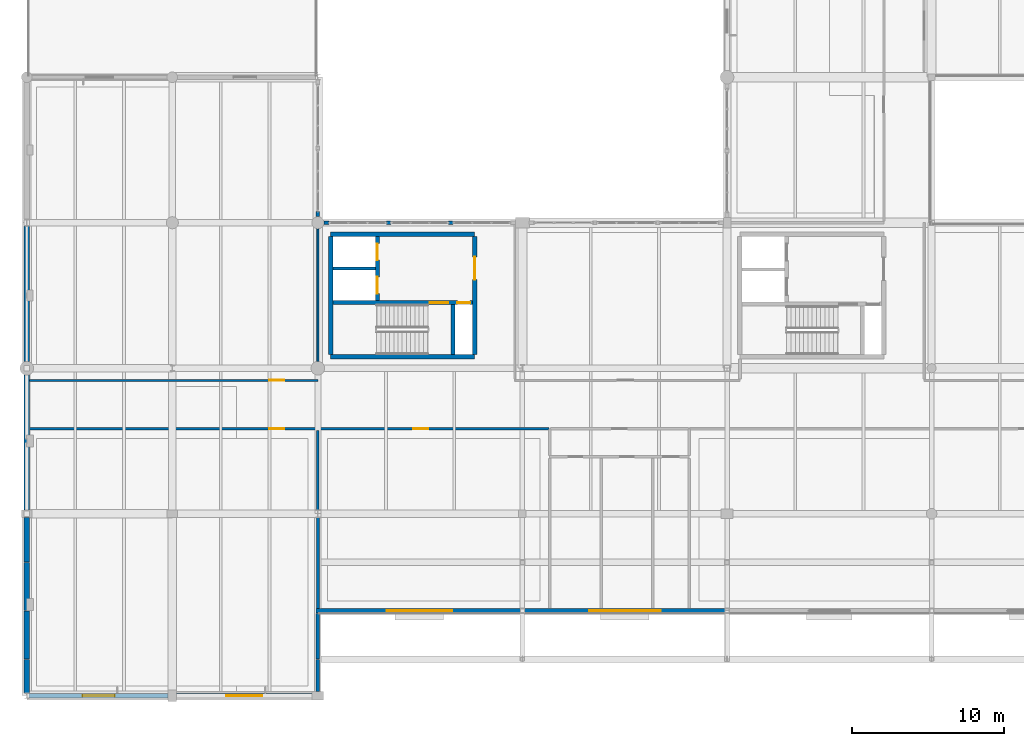
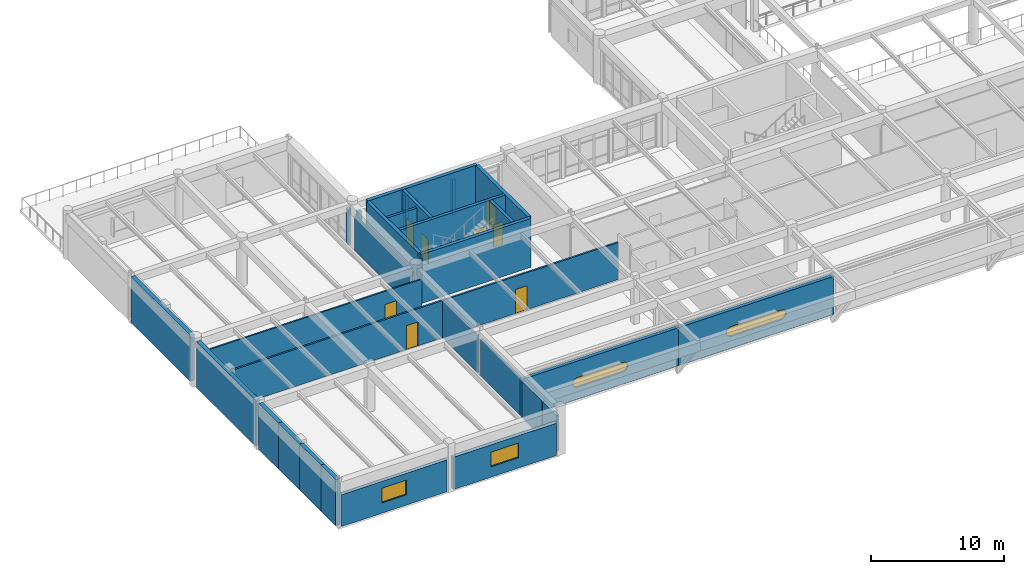
# One storey, part 64 of 80: 29 walls, 8 doors, 4 windows, 12 openings.
"""IFC4 building model written with IfcOpenShell, lengths in metres."""

from ifc_helpers import new_model, si_unit, direction, frame, frame_2d, origin, place, context, subcontext, project, spatial, polyline, rectangle, outline, extrude, material, layer, layer_set, type_object, element, fill, save


model = new_model("IFC4")

# Units and contexts
model_context = context("Model", 3, precision=1e-05, world=origin(), true_north=direction((0.0, 1.0)))
body_context = subcontext(model_context, "Body", "Model", "MODEL_VIEW")
ifc_project = project(units=[si_unit("LENGTHUNIT", "METRE"), si_unit("AREAUNIT", "SQUARE_METRE"), si_unit("VOLUMEUNIT", "CUBIC_METRE"), si_unit("PLANEANGLEUNIT", "RADIAN"), si_unit("MASSUNIT", "GRAM", prefix="KILO")], contexts=[model_context])

# Site, building, storey
site_placement = place(None, origin())
site = spatial("IfcSite", under=ifc_project, at=site_placement, CompositionType="ELEMENT")
building_placement = place(site_placement, origin())
building = spatial("IfcBuilding", under=site, at=building_placement, Name="Fikremerkos Civic Library", CompositionType="ELEMENT")
storey_placement = place(building_placement, frame((0.0, 0.0, 9.89990234375)))
storey = spatial("IfcBuildingStorey", under=building, at=storey_placement, Name="L02", CompositionType="ELEMENT", Elevation=9.89990234375)

# Walls
ifc_material_1 = material(Name="Concrete C40/50", Category="concrete")
ifc_layer_1 = layer(ifc_material_1, 0.300048828125, Name="Concrete C40/50")
ifc_layer_set_1 = layer_set([ifc_layer_1], Name="Concrete C40/50")
wall_type_1 = type_object("IfcWallType", Name="Core shear wall CSW-01 300", PredefinedType="SHEAR", material=ifc_layer_set_1)
for number, where, z_axis, x_axis, name in (
    (1, (29.550048828125, 22.35009765625, 0.0), (0.0, 0.0, 1.0), (-1.0, 0.0, 0.0), "Core K1 south shear wall L02"),
    (2, (20.050048828125, 30.449951171875, 0.0), (0.0, 0.0, 1.0), (1.0, 0.0, 0.0), "Core K1 north shear wall L02"),
):
    element("IfcWall", number, at=place(storey_placement, frame(where, z_axis=z_axis, x_axis=x_axis)), inside=storey, type_object=wall_type_1, Name=name, PredefinedType="SHEAR", context=body_context, shape_type="SweptSolid", body=[
        extrude(rectangle(XDim=9.5, YDim=0.300048828125, at=frame_2d((4.75, 0.0))), origin(), (0.0, 0.0, 1.0), 4.5),
    ])
wall_1_placement = place(storey_placement, frame((20.050048828125, 22.501953125, 0.0), z_axis=(0.0, 0.0, 1.0), x_axis=(0.0, 1.0, 0.0)))
element("IfcWall", 3, at=wall_1_placement, inside=storey, type_object=wall_type_1, Name="Core K1 west shear wall L02", PredefinedType="SHEAR", context=body_context, shape_type="SweptSolid", body=[
    extrude(rectangle(XDim=7.796142578125, YDim=0.300048828125, at=frame_2d((3.89794921875, 0.0))), origin(), (0.0, 0.0, 1.0), 4.5),
])

# Wall, opening, door
wall_2_placement = place(storey_placement, frame((29.550048828125, 30.298095703125, 0.0), z_axis=(0.0, 0.0, 1.0), x_axis=(0.0, -1.0, 0.0)))
wall_2 = element("IfcWall", 4, at=wall_2_placement, inside=storey, type_object=wall_type_1, Name="Core K1 east shear wall L02", PredefinedType="SHEAR", context=body_context, shape_type="SweptSolid", body=[
    extrude(rectangle(XDim=7.796142578125, YDim=0.300048828125, at=frame_2d((3.89794921875, 0.0))), origin(), (0.0, 0.0, 1.0), 4.5),
])
opening_1_placement = place(wall_2_placement, frame((1.347900390625, 0.0, 0.0)))
opening_1 = element("IfcOpeningElement", 5, at=opening_1_placement, cuts=wall_2, Name="Opening D041", PredefinedType="OPENING", context=body_context, shape_type="SweptSolid", body=[
    extrude(rectangle(XDim=1.5, YDim=2.25, at=frame_2d((0.75, 1.125))), frame((0.0, 0.159912109375, 0.0), z_axis=(0.0, -1.0, 0.0), x_axis=(1.0, 0.0, 0.0)), (0.0, 0.0, 1.0), 0.320068359375),
])
ifc_material_2 = material(Name="Hardwood timber and acoustic glass", Category="wood")
door_type_1 = type_object("IfcDoorType", Name="Pedestrian door DT-05 1500x2250", OperationType="NOTDEFINED", PredefinedType="DOOR", material=ifc_material_2)
door_1_placement = place(opening_1_placement, origin())
door_1 = element("IfcDoor", 6, at=door_1_placement, inside=storey, type_object=door_type_1, Name="Core K1 lobby fire door D041 L02", OperationType="SINGLE_SWING_RIGHT", OverallHeight=2.25, OverallWidth=1.5, PredefinedType="DOOR", context=body_context, shape_type="SweptSolid", body=[
    extrude(rectangle(XDim=1.5, YDim=2.25, at=frame_2d((0.75, 1.125))), frame((0.0, 0.032470703125, 0.0), z_axis=(0.0, -1.0, 0.0), x_axis=(1.0, 0.0, 0.0)), (0.0, 0.0, 1.0), 0.06494140625),
])
fill(opening_1, door_1)

# Wall, openings, doors
ifc_layer_2 = layer(ifc_material_1, 0.260009765625, Name="Concrete C40/50")
ifc_layer_set_2 = layer_set([ifc_layer_2], Name="Concrete C40/50")
wall_type_2 = type_object("IfcWallType", Name="Core shear wall CSW-02 260", PredefinedType="SHEAR", material=ifc_layer_set_2)
wall_3_placement = place(storey_placement, frame((20.201904296875, 25.929931640625, 0.0), z_axis=(0.0, 0.0, 1.0), x_axis=(1.0, 0.0, 0.0)))
wall_3 = element("IfcWall", 7, at=wall_3_placement, inside=storey, type_object=wall_type_2, Name="Core K1 stair compartment wall L02", PredefinedType="SHEAR", context=body_context, shape_type="SweptSolid", body=[
    extrude(rectangle(XDim=9.196044921875, YDim=0.260009765625, at=frame_2d((4.59814453125, 0.0))), origin(), (0.0, 0.0, 1.0), 4.5),
])
opening_2_placement = place(wall_3_placement, frame((6.39794921875, 0.0, 0.0)))
opening_2 = element("IfcOpeningElement", 8, at=opening_2_placement, cuts=wall_3, Name="Opening D042", PredefinedType="OPENING", context=body_context, shape_type="SweptSolid", body=[
    extrude(rectangle(XDim=1.199951171875, YDim=2.199951171875, at=frame_2d((0.60009765625, 1.10009765625))), frame((0.0, 0.139892578125, 0.0), z_axis=(0.0, -1.0, 0.0), x_axis=(1.0, 0.0, 0.0)), (0.0, 0.0, 1.0), 0.280029296875),
])
opening_3_placement = place(wall_3_placement, frame((8.202880859375, 0.0, 0.0)))
opening_3 = element("IfcOpeningElement", 9, at=opening_3_placement, cuts=wall_3, Name="Opening D043", PredefinedType="OPENING", context=body_context, shape_type="SweptSolid", body=[
    extrude(rectangle(XDim=0.85009765625, YDim=2.050048828125, at=frame_2d((0.425048828125, 1.02490234375))), frame((0.0, 0.139892578125, 0.0), z_axis=(0.0, -1.0, 0.0), x_axis=(1.0, 0.0, 0.0)), (0.0, 0.0, 1.0), 0.280029296875),
])
door_type_2 = type_object("IfcDoorType", Name="Pedestrian door DT-06 1200x2200", OperationType="NOTDEFINED", PredefinedType="DOOR", material=ifc_material_2)
door_2_placement = place(opening_2_placement, origin())
door_2 = element("IfcDoor", 10, at=door_2_placement, inside=storey, type_object=door_type_2, Name="Core K1 stair fire door D042 L02", OperationType="SINGLE_SWING_RIGHT", OverallHeight=2.199951171875, OverallWidth=1.199951171875, PredefinedType="DOOR", context=body_context, shape_type="SweptSolid", body=[
    extrude(rectangle(XDim=1.199951171875, YDim=2.199951171875, at=frame_2d((0.60009765625, 1.10009765625))), frame((0.0, 0.032470703125, 0.0), z_axis=(0.0, -1.0, 0.0), x_axis=(1.0, 0.0, 0.0)), (0.0, 0.0, 1.0), 0.06494140625),
])
fill(opening_2, door_2)
door_type_3 = type_object("IfcDoorType", Name="Pedestrian door DT-08 850x2050", OperationType="NOTDEFINED", PredefinedType="DOOR", material=ifc_material_2)
door_3_placement = place(opening_3_placement, origin())
door_3 = element("IfcDoor", 11, at=door_3_placement, inside=storey, type_object=door_type_3, Name="Core K1 riser access fire door D043 L02", OperationType="SINGLE_SWING_LEFT", OverallHeight=2.050048828125, OverallWidth=0.85009765625, PredefinedType="DOOR", context=body_context, shape_type="SweptSolid", body=[
    extrude(rectangle(XDim=0.85009765625, YDim=2.050048828125, at=frame_2d((0.425048828125, 1.02490234375))), frame((0.0, 0.032470703125, 0.0), z_axis=(0.0, -1.0, 0.0), x_axis=(1.0, 0.0, 0.0)), (0.0, 0.0, 1.0), 0.06494140625),
])
fill(opening_3, door_3)

# Wall
wall_4_placement = place(storey_placement, frame((28.1298828125, 22.501953125, 0.0), z_axis=(0.0, 0.0, 1.0), x_axis=(0.0, 1.0, 0.0)))
element("IfcWall", 12, at=wall_4_placement, inside=storey, type_object=wall_type_2, Name="Core K1 stair-riser shear wall L02", PredefinedType="SHEAR", context=body_context, shape_type="SweptSolid", body=[
    extrude(rectangle(XDim=3.296142578125, YDim=0.260009765625, at=frame_2d((1.64794921875, 0.0))), origin(), (0.0, 0.0, 1.0), 4.5),
])

# Wall, openings, doors
wall_5_placement = place(storey_placement, frame((23.1298828125, 26.06201171875, 0.0), z_axis=(0.0, 0.0, 1.0), x_axis=(0.0, 1.0, 0.0)))
wall_5 = element("IfcWall", 13, at=wall_5_placement, inside=storey, type_object=wall_type_2, Name="Core K1 lift shaft front wall L02", PredefinedType="SHEAR", context=body_context, shape_type="SweptSolid", body=[
    extrude(rectangle(XDim=4.236083984375, YDim=0.260009765625, at=frame_2d((2.1181640625, 0.0))), origin(), (0.0, 0.0, 1.0), 4.5),
])
opening_4_placement = place(wall_5_placement, frame((0.468017578125, 0.0, 0.0)))
opening_4 = element("IfcOpeningElement", 14, at=opening_4_placement, cuts=wall_5, Name="Opening LD09", PredefinedType="OPENING", context=body_context, shape_type="SweptSolid", body=[
    extrude(rectangle(XDim=1.10009765625, YDim=2.14990234375, at=frame_2d((0.550048828125, 1.074951171875))), frame((0.0, 0.139892578125, 0.0), z_axis=(0.0, -1.0, 0.0), x_axis=(1.0, 0.0, 0.0)), (0.0, 0.0, 1.0), 0.280029296875),
])
opening_5_placement = place(wall_5_placement, frame((2.66796875, 0.0, 0.0)))
opening_5 = element("IfcOpeningElement", 15, at=opening_5_placement, cuts=wall_5, Name="Opening LD10", PredefinedType="OPENING", context=body_context, shape_type="SweptSolid", body=[
    extrude(rectangle(XDim=1.10009765625, YDim=2.14990234375, at=frame_2d((0.550048828125, 1.074951171875))), frame((0.0, 0.139892578125, 0.0), z_axis=(0.0, -1.0, 0.0), x_axis=(1.0, 0.0, 0.0)), (0.0, 0.0, 1.0), 0.280029296875),
])
ifc_material_3 = material(Name="Brushed stainless steel", Category="steel")
door_type_4 = type_object("IfcDoorType", Name="Lift landing door LDT-01 1100x2150", OperationType="NOTDEFINED", PredefinedType="DOOR", material=ifc_material_3)
door_4_placement = place(opening_4_placement, origin())
door_4 = element("IfcDoor", 16, at=door_4_placement, inside=storey, type_object=door_type_4, Name="Lift LF01 sliding landing door LD09 L02", OperationType="SLIDING_TO_LEFT", OverallHeight=2.14990234375, OverallWidth=1.10009765625, PredefinedType="DOOR", context=body_context, shape_type="SweptSolid", body=[
    extrude(rectangle(XDim=1.10009765625, YDim=2.14990234375, at=frame_2d((0.550048828125, 1.074951171875))), frame((0.0, 0.032470703125, 0.0), z_axis=(0.0, -1.0, 0.0), x_axis=(1.0, 0.0, 0.0)), (0.0, 0.0, 1.0), 0.06494140625),
])
fill(opening_4, door_4)
door_5_placement = place(opening_5_placement, origin())
door_5 = element("IfcDoor", 17, at=door_5_placement, inside=storey, type_object=door_type_4, Name="Lift LF02 sliding landing door LD10 L02", OperationType="SLIDING_TO_LEFT", OverallHeight=2.14990234375, OverallWidth=1.10009765625, PredefinedType="DOOR", context=body_context, shape_type="SweptSolid", body=[
    extrude(rectangle(XDim=1.10009765625, YDim=2.14990234375, at=frame_2d((0.550048828125, 1.074951171875))), frame((0.0, 0.032470703125, 0.0), z_axis=(0.0, -1.0, 0.0), x_axis=(1.0, 0.0, 0.0)), (0.0, 0.0, 1.0), 0.06494140625),
])
fill(opening_5, door_5)

# Walls
ifc_layer_3 = layer(ifc_material_1, 0.35009765625, Name="Concrete C40/50")
ifc_layer_set_3 = layer_set([ifc_layer_3], Name="Concrete C40/50")
wall_type_3 = type_object("IfcWallType", Name="Exterior solid wall ESW-01 350", PredefinedType="SOLIDWALL", material=ifc_layer_set_3)
wall_6_placement = place(storey_placement, frame((0.0, 0.177978515625, 0.0), z_axis=(0.0, 0.0, 1.0), x_axis=(0.0, 1.0, 0.0)))
element("IfcWall", 18, at=wall_6_placement, inside=storey, type_object=wall_type_3, Name="Party boundary wall ESW-01 L02 #468", PredefinedType="SOLIDWALL", context=body_context, shape_type="SweptSolid", body=[
    extrude(rectangle(XDim=2.219970703125, YDim=0.35009765625, at=frame_2d((1.10986328125, 0.0))), origin(), (0.0, 0.0, 1.0), 4.22021484375),
])
wall_7_placement = place(storey_placement, frame((0.0, 2.402099609375, 0.0), z_axis=(0.0, 0.0, 1.0), x_axis=(0.0, 1.0, 0.0)))
element("IfcWall", 19, at=wall_7_placement, inside=storey, type_object=wall_type_3, Name="Party boundary wall ESW-01 L02 #469", PredefinedType="SOLIDWALL", context=body_context, shape_type="SweptSolid", body=[
    extrude(rectangle(XDim=3.19580078125, YDim=0.35009765625, at=frame_2d((1.597900390625, 0.0))), origin(), (0.0, 0.0, 1.0), 4.22021484375),
])
wall_8_placement = place(storey_placement, frame((0.0, 5.60205078125, 0.0), z_axis=(0.0, 0.0, 1.0), x_axis=(0.0, 1.0, 0.0)))
element("IfcWall", 20, at=wall_8_placement, inside=storey, type_object=wall_type_3, Name="Party boundary wall ESW-01 L02 #470", PredefinedType="SOLIDWALL", context=body_context, shape_type="SweptSolid", body=[
    extrude(rectangle(XDim=3.196044921875, YDim=0.35009765625, at=frame_2d((1.59814453125, 0.0))), origin(), (0.0, 0.0, 1.0), 4.22021484375),
])
wall_9_placement = place(storey_placement, frame((0.0, 8.802001953125, 0.0), z_axis=(0.0, 0.0, 1.0), x_axis=(0.0, 1.0, 0.0)))
element("IfcWall", 21, at=wall_9_placement, inside=storey, type_object=wall_type_3, Name="Party boundary wall ESW-01 L02 #471", PredefinedType="SOLIDWALL", context=body_context, shape_type="SweptSolid", body=[
    extrude(rectangle(XDim=2.949951171875, YDim=0.35009765625, at=frame_2d((1.47509765625, 0.0))), origin(), (0.0, 0.0, 1.0), 4.22021484375),
])
wall_10_placement = place(storey_placement, frame((0.0, 12.248046875, 0.0), z_axis=(0.0, 0.0, 1.0), x_axis=(0.0, 1.0, 0.0)))
element("IfcWall", 22, at=wall_10_placement, inside=storey, type_object=wall_type_3, Name="Party boundary wall ESW-01 L02 #472", PredefinedType="SOLIDWALL", context=body_context, shape_type="SweptSolid", body=[
    extrude(rectangle(XDim=8.904052734375, YDim=0.35009765625, at=frame_2d((4.4521484375, 0.0))), origin(), (0.0, 0.0, 1.0), 4.22021484375),
])
wall_11_placement = place(storey_placement, frame((0.0, 22.048095703125, 0.0), z_axis=(0.0, 0.0, 1.0), x_axis=(0.0, 1.0, 0.0)))
element("IfcWall", 23, at=wall_11_placement, inside=storey, type_object=wall_type_3, Name="Party boundary wall ESW-01 L02 #473", PredefinedType="SOLIDWALL", context=body_context, shape_type="SweptSolid", body=[
    extrude(rectangle(XDim=8.933837890625, YDim=0.35009765625, at=frame_2d((4.466796875, 0.0))), origin(), (0.0, 0.0, 1.0), 4.22021484375),
])

# Wall, opening, window
ifc_material_4 = material(Name="Precast concrete C40/50", Category="concrete")
ifc_layer_4 = layer(ifc_material_4, 0.320068359375, Name="Precast concrete C40/50")
ifc_layer_set_4 = layer_set([ifc_layer_4], Name="Precast concrete C40/50")
wall_type_4 = type_object("IfcWallType", Name="Exterior solid wall ESW-02 320", PredefinedType="SOLIDWALL", material=ifc_layer_set_4)
wall_12_placement = place(storey_placement, frame((18.826904296875, 0.0, 0.0), z_axis=(0.0, 0.0, 1.0), x_axis=(-1.0, 0.0, 0.0)))
wall_12 = element("IfcWall", 24, at=wall_12_placement, inside=storey, type_object=wall_type_4, Name="Exterior solid wall ESW-02 L02 #466", PredefinedType="SOLIDWALL", context=body_context, shape_type="SweptSolid", body=[
    extrude(rectangle(XDim=8.953857421875, YDim=0.320068359375, at=frame_2d((4.47705078125, 0.0))), origin(), (0.0, 0.0, 1.0), 2.97021484375),
])
opening_6_placement = place(wall_12_placement, frame((3.277099609375, 0.0, 0.949951171875)))
opening_6 = element("IfcOpeningElement", 25, at=opening_6_placement, cuts=wall_12, Name="Opening CWND-07", PredefinedType="OPENING", context=body_context, shape_type="SweptSolid", body=[
    extrude(rectangle(XDim=2.39990234375, YDim=1.35009765625, at=frame_2d((1.199951171875, 0.675048828125))), frame((0.0, 0.169921875, 0.0), z_axis=(0.0, -1.0, 0.0), x_axis=(1.0, 0.0, 0.0)), (0.0, 0.0, 1.0), 0.340087890625),
])
ifc_material_5 = material(Name="Solar control double glazing", Category="glass")
window_type_1 = type_object("IfcWindowType", Name="Courtyard window CWND-07 2400x1350", PartitioningType="SINGLE_PANEL", PredefinedType="WINDOW", material=ifc_material_5)
window_1_placement = place(opening_6_placement, origin())
window_1 = element("IfcWindow", 26, at=window_1_placement, inside=storey, type_object=window_type_1, Name="Courtyard window CWND-07 L02 #23", OverallHeight=1.35009765625, OverallWidth=2.39990234375, PartitioningType="SINGLE_PANEL", PredefinedType="WINDOW", context=body_context, shape_type="SweptSolid", body=[
    extrude(rectangle(XDim=2.39990234375, YDim=1.35009765625, at=frame_2d((1.199951171875, 0.675048828125))), frame((0.0, 0.032470703125, 0.0), z_axis=(0.0, -1.0, 0.0), x_axis=(1.0, 0.0, 0.0)), (0.0, 0.0, 1.0), 0.06494140625),
])
fill(opening_6, window_1)

ifc_layer_5 = layer(ifc_material_4, 0.300048828125, Name="Precast concrete C40/50")
ifc_layer_set_5 = layer_set([ifc_layer_5], Name="Precast concrete C40/50")
wall_type_5 = type_object("IfcWallType", Name="Exterior solid wall ESW-03 300", PredefinedType="SOLIDWALL", material=ifc_layer_set_5)
wall_13_placement = place(storey_placement, frame((46.197998046875, 5.60009765625, 0.0), z_axis=(0.0, 0.0, 1.0), x_axis=(-1.0, 0.0, 0.0)))
wall_13 = element("IfcWall", 27, at=wall_13_placement, inside=storey, type_object=wall_type_5, Name="Cantilever concrete band wall ESW-03 L02 #462", PredefinedType="SOLIDWALL", context=body_context, shape_type="SweptSolid", body=[
    extrude(rectangle(XDim=13.49609375, YDim=0.300048828125, at=frame_2d((6.748046875, 0.0))), origin(), (0.0, 0.0, 1.0), 3.5),
])
opening_7_placement = place(wall_13_placement, frame((4.14794921875, 0.0, 1.10009765625)))
opening_7 = element("IfcOpeningElement", 28, at=opening_7_placement, cuts=wall_13, Name="Opening SW-01", PredefinedType="OPENING", context=body_context, shape_type="SweptSolid", body=[
    extrude(outline(polyline([(0.449951171875, 0.89990234375), (0.296142578125, 0.872802734375), (0.16064453125, 0.794677734375), (0.060302734375, 0.675048828125), (0.0068359375, 0.528076171875), (0.0068359375, 0.371826171875), (0.060302734375, 0.22509765625), (0.16064453125, 0.105224609375), (0.296142578125, 0.027099609375), (0.449951171875, 0.0), (4.75, 0.0), (4.90380859375, 0.027099609375), (5.039306640625, 0.105224609375), (5.1396484375, 0.22509765625), (5.193115234375, 0.371826171875), (5.193115234375, 0.528076171875), (5.1396484375, 0.6748046875), (5.039306640625, 0.794677734375), (4.90380859375, 0.872802734375), (4.75, 0.89990234375), (0.449951171875, 0.89990234375)])), frame((0.0, 0.159912109375, 0.0), z_axis=(0.0, -1.0, 0.0), x_axis=(1.0, 0.0, 0.0)), (0.0, 0.0, 1.0), 0.320068359375),
])
window_type_2 = type_object("IfcWindowType", Name="Facade slot window SW-01 5200x900", PartitioningType="SINGLE_PANEL", PredefinedType="WINDOW", material=ifc_material_5)
window_2_placement = place(opening_7_placement, origin())
window_2 = element("IfcWindow", 29, at=window_2_placement, inside=storey, type_object=window_type_2, Name="Rounded-end facade slot window SW-01 L02 #13", OverallHeight=0.89990234375, OverallWidth=5.199951171875, PartitioningType="SINGLE_PANEL", PredefinedType="WINDOW", context=body_context, shape_type="SweptSolid", body=[
    extrude(outline(polyline([(0.449951171875, 0.89990234375), (0.296142578125, 0.872802734375), (0.16064453125, 0.794677734375), (0.060302734375, 0.675048828125), (0.0068359375, 0.528076171875), (0.0068359375, 0.371826171875), (0.060302734375, 0.22509765625), (0.16064453125, 0.105224609375), (0.296142578125, 0.027099609375), (0.449951171875, 0.0), (4.75, 0.0), (4.90380859375, 0.027099609375), (5.039306640625, 0.105224609375), (5.1396484375, 0.22509765625), (5.193115234375, 0.371826171875), (5.193115234375, 0.528076171875), (5.1396484375, 0.6748046875), (5.039306640625, 0.794677734375), (4.90380859375, 0.872802734375), (4.75, 0.89990234375), (0.449951171875, 0.89990234375)])), frame((0.0, 0.032470703125, 0.0), z_axis=(0.0, -1.0, 0.0), x_axis=(1.0, 0.0, 0.0)), (0.0, 0.0, 1.0), 0.06494140625),
])
fill(opening_7, window_2)

wall_14_placement = place(storey_placement, frame((32.697998046875, 5.60009765625, 0.0), z_axis=(0.0, 0.0, 1.0), x_axis=(-1.0, 0.0, 0.0)))
wall_14 = element("IfcWall", 30, at=wall_14_placement, inside=storey, type_object=wall_type_5, Name="Cantilever concrete band wall ESW-03 L02 #463", PredefinedType="SOLIDWALL", context=body_context, shape_type="SweptSolid", body=[
    extrude(rectangle(XDim=13.60791015625, YDim=0.300048828125, at=frame_2d((6.803955078125, 0.0))), origin(), (0.0, 0.0, 1.0), 3.5),
])
opening_8_placement = place(wall_14_placement, frame((4.404052734375, 0.0, 1.10009765625)))
opening_8 = element("IfcOpeningElement", 31, at=opening_8_placement, cuts=wall_14, Name="Opening SW-02", PredefinedType="OPENING", context=body_context, shape_type="SweptSolid", body=[
    extrude(outline(polyline([(0.449951171875, 0.89990234375), (0.296142578125, 0.872802734375), (0.16064453125, 0.794677734375), (0.060302734375, 0.675048828125), (0.0068359375, 0.528076171875), (0.0068359375, 0.371826171875), (0.060302734375, 0.22509765625), (0.16064453125, 0.105224609375), (0.296142578125, 0.027099609375), (0.449951171875, 0.0), (4.35009765625, 0.0), (4.50390625, 0.027099609375), (4.639404296875, 0.105224609375), (4.73974609375, 0.22509765625), (4.793212890625, 0.371826171875), (4.793212890625, 0.528076171875), (4.73974609375, 0.6748046875), (4.639404296875, 0.794677734375), (4.50390625, 0.872802734375), (4.35009765625, 0.89990234375), (0.449951171875, 0.89990234375)])), frame((0.0, 0.159912109375, 0.0), z_axis=(0.0, -1.0, 0.0), x_axis=(1.0, 0.0, 0.0)), (0.0, 0.0, 1.0), 0.320068359375),
])
window_type_3 = type_object("IfcWindowType", Name="Facade slot window SW-02 4800x900", PartitioningType="SINGLE_PANEL", PredefinedType="WINDOW", material=ifc_material_5)
window_3_placement = place(opening_8_placement, origin())
window_3 = element("IfcWindow", 32, at=window_3_placement, inside=storey, type_object=window_type_3, Name="Rounded-end facade slot window SW-02 L02 #14", OverallHeight=0.89990234375, OverallWidth=4.800048828125, PartitioningType="SINGLE_PANEL", PredefinedType="WINDOW", context=body_context, shape_type="SweptSolid", body=[
    extrude(outline(polyline([(0.449951171875, 0.89990234375), (0.296142578125, 0.872802734375), (0.16064453125, 0.794677734375), (0.060302734375, 0.675048828125), (0.0068359375, 0.528076171875), (0.0068359375, 0.371826171875), (0.060302734375, 0.22509765625), (0.16064453125, 0.105224609375), (0.296142578125, 0.027099609375), (0.449951171875, 0.0), (4.35009765625, 0.0), (4.50390625, 0.027099609375), (4.639404296875, 0.105224609375), (4.73974609375, 0.22509765625), (4.793212890625, 0.371826171875), (4.793212890625, 0.528076171875), (4.73974609375, 0.6748046875), (4.639404296875, 0.794677734375), (4.50390625, 0.872802734375), (4.35009765625, 0.89990234375), (0.449951171875, 0.89990234375)])), frame((0.0, 0.032470703125, 0.0), z_axis=(0.0, -1.0, 0.0), x_axis=(1.0, 0.0, 0.0)), (0.0, 0.0, 1.0), 0.06494140625),
])
fill(opening_8, window_3)

wall_15_placement = place(storey_placement, frame((9.326904296875, 0.0, 0.0), z_axis=(0.0, 0.0, 1.0), x_axis=(-1.0, 0.0, 0.0)))
wall_15 = element("IfcWall", 33, at=wall_15_placement, inside=storey, type_object=wall_type_5, Name="Exterior solid wall ESW-03 L02 #467", PredefinedType="SOLIDWALL", context=body_context, shape_type="SweptSolid", body=[
    extrude(rectangle(XDim=9.178955078125, YDim=0.300048828125, at=frame_2d((4.58935546875, 0.0))), origin(), (0.0, 0.0, 1.0), 2.920166015625),
])
opening_9_placement = place(wall_15_placement, frame((3.53955078125, 0.0, 0.949951171875)))
opening_9 = element("IfcOpeningElement", 34, at=opening_9_placement, cuts=wall_15, Name="Opening CWND-08", PredefinedType="OPENING", context=body_context, shape_type="SweptSolid", body=[
    extrude(rectangle(XDim=2.10009765625, YDim=1.35009765625, at=frame_2d((1.050048828125, 0.675048828125))), frame((0.0, 0.159912109375, 0.0), z_axis=(0.0, -1.0, 0.0), x_axis=(1.0, 0.0, 0.0)), (0.0, 0.0, 1.0), 0.320068359375),
])
window_type_4 = type_object("IfcWindowType", Name="Courtyard window CWND-08 2100x1350", PartitioningType="SINGLE_PANEL", PredefinedType="WINDOW", material=ifc_material_5)
window_4_placement = place(opening_9_placement, origin())
window_4 = element("IfcWindow", 35, at=window_4_placement, inside=storey, type_object=window_type_4, Name="Courtyard window CWND-08 L02 #24", OverallHeight=1.35009765625, OverallWidth=2.10009765625, PartitioningType="SINGLE_PANEL", PredefinedType="WINDOW", context=body_context, shape_type="SweptSolid", body=[
    extrude(rectangle(XDim=2.10009765625, YDim=1.35009765625, at=frame_2d((1.050048828125, 0.675048828125))), frame((0.0, 0.032470703125, 0.0), z_axis=(0.0, -1.0, 0.0), x_axis=(1.0, 0.0, 0.0)), (0.0, 0.0, 1.0), 0.06494140625),
])
fill(opening_9, window_4)

# Walls
ifc_layer_6 = layer(ifc_material_4, 0.25, Name="Precast concrete C40/50")
ifc_layer_set_6 = layer_set([ifc_layer_6], Name="Precast concrete C40/50")
wall_type_6 = type_object("IfcWallType", Name="Exterior solid wall ESW-05 250", PredefinedType="SOLIDWALL", material=ifc_layer_set_6)
wall_16_placement = place(storey_placement, frame((19.199951171875, 5.419921875, 0.0), z_axis=(0.0, 0.0, 1.0), x_axis=(0.0, -1.0, 0.0)))
element("IfcWall", 36, at=wall_16_placement, inside=storey, type_object=wall_type_6, Name="Exterior solid wall ESW-05 L02 #464", PredefinedType="SOLIDWALL", context=body_context, shape_type="SweptSolid", body=[
    extrude(rectangle(XDim=3.017822265625, YDim=0.25, at=frame_2d((1.5087890625, 0.0))), origin(), (0.0, 0.0, 1.0), 3.330078125),
])
wall_17_placement = place(storey_placement, frame((19.199951171875, 31.947998046875, 0.0), z_axis=(0.0, 0.0, 1.0), x_axis=(0.0, -1.0, 0.0)))
element("IfcWall", 37, at=wall_17_placement, inside=storey, type_object=wall_type_6, Name="Exterior facade pier ESW-05 #478", PredefinedType="SOLIDWALL", context=body_context, shape_type="SweptSolid", body=[
    extrude(rectangle(XDim=0.35009765625, YDim=0.25, at=frame_2d((0.175048828125, 0.0))), origin(), (0.0, 0.0, 1.0), 3.25),
])
wall_18_placement = place(storey_placement, frame((19.597900390625, 31.199951171875, 0.0), z_axis=(0.0, 0.0, 1.0), x_axis=(1.0, 0.0, 0.0)))
element("IfcWall", 38, at=wall_18_placement, inside=storey, type_object=wall_type_6, Name="Exterior facade pier ESW-05 #480", PredefinedType="SOLIDWALL", context=body_context, shape_type="SweptSolid", body=[
    extrude(rectangle(XDim=0.35009765625, YDim=0.25, at=frame_2d((0.175048828125, 0.0))), origin(), (0.0, 0.0, 1.0), 3.2001953125),
])
for number, where, z_axis, x_axis, name in (
    (39, (23.732666015625, 31.199951171875, 0.0), (0.0, 0.0, 1.0), (1.0, 0.0, 0.0), "Exterior facade mullion pier ESW-05 #482"),
    (40, (27.8173828125, 31.199951171875, 0.0), (0.0, 0.0, 1.0), (1.0, 0.0, 0.0), "Exterior facade mullion pier ESW-05 #483"),
):
    element("IfcWall", number, at=place(storey_placement, frame(where, z_axis=z_axis, x_axis=x_axis)), inside=storey, type_object=wall_type_6, Name=name, PredefinedType="SOLIDWALL", context=body_context, shape_type="SweptSolid", body=[
        extrude(rectangle(XDim=0.300048828125, YDim=0.25, at=frame_2d((0.14990234375, 0.0))), origin(), (0.0, 0.0, 1.0), 3.2001953125),
    ])
ifc_layer_7 = layer(ifc_material_4, 0.219970703125, Name="Precast concrete C40/50")
ifc_layer_set_7 = layer_set([ifc_layer_7], Name="Precast concrete C40/50")
wall_type_7 = type_object("IfcWallType", Name="Exterior solid wall ESW-06 220", PredefinedType="SOLIDWALL", material=ifc_layer_set_7)
wall_19_placement = place(storey_placement, frame((19.199951171875, 2.39794921875, 0.0), z_axis=(0.0, 0.0, 1.0), x_axis=(0.0, -1.0, 0.0)))
element("IfcWall", 41, at=wall_19_placement, inside=storey, type_object=wall_type_7, Name="Exterior solid wall ESW-06 L02 #465", PredefinedType="SOLIDWALL", context=body_context, shape_type="SweptSolid", body=[
    extrude(rectangle(XDim=2.125, YDim=0.219970703125, at=frame_2d((1.0625, 0.0))), origin(), (0.0, 0.0, 1.0), 3.31005859375),
])
ifc_material_6 = material(Name="Acoustic concrete blockwork", Category="masonry")
ifc_layer_8 = layer(ifc_material_6, 0.18994140625, Name="Acoustic concrete blockwork")
ifc_layer_set_8 = layer_set([ifc_layer_8], Name="Acoustic concrete blockwork")
wall_type_8 = type_object("IfcWallType", Name="Interior partition wall IPW-01 190", PredefinedType="PARTITIONING", material=ifc_layer_set_8)
wall_20_placement = place(storey_placement, frame((19.199951171875, 5.7529296875, 0.0), z_axis=(0.0, 0.0, 1.0), x_axis=(0.0, 1.0, 0.0)))
element("IfcWall", 42, at=wall_20_placement, inside=storey, type_object=wall_type_8, Name="Interior wall IPW-01 L02 #192", PredefinedType="PARTITIONING", context=body_context, shape_type="SweptSolid", body=[
    extrude(rectangle(XDim=5.994140625, YDim=0.18994140625, at=frame_2d((2.9970703125, 0.0))), origin(), (0.0, 0.0, 1.0), 3.400146484375),
])

# Wall, openings, doors
ifc_material_7 = material(Name="Acoustic gypsum stud partition")
ifc_layer_9 = layer(ifc_material_7, 0.14990234375, Name="Acoustic gypsum stud partition")
ifc_layer_set_9 = layer_set([ifc_layer_9], Name="Acoustic gypsum stud partition")
wall_type_9 = type_object("IfcWallType", Name="Interior partition wall IPW-02 150", PredefinedType="PARTITIONING", material=ifc_layer_set_9)
wall_21_placement = place(storey_placement, frame((0.177978515625, 17.60009765625, 0.0), z_axis=(0.0, 0.0, 1.0), x_axis=(1.0, 0.0, 0.0)))
wall_21 = element("IfcWall", 43, at=wall_21_placement, inside=storey, type_object=wall_type_9, Name="Interior wall IPW-02 L02 #185", PredefinedType="PARTITIONING", context=body_context, shape_type="SweptSolid", body=[
    extrude(rectangle(XDim=34.27197265625, YDim=0.14990234375, at=frame_2d((17.135986328125, 0.0))), origin(), (0.0, 0.0, 1.0), 3.41015625),
])
opening_10_placement = place(wall_21_placement, frame((15.822021484375, 0.0, 0.0)))
opening_10 = element("IfcOpeningElement", 44, at=opening_10_placement, cuts=wall_21, Name="Opening D218", PredefinedType="OPENING", context=body_context, shape_type="SweptSolid", body=[
    extrude(rectangle(XDim=1.0, YDim=2.199951171875, at=frame_2d((0.5, 1.10009765625))), frame((0.0, 0.0849609375, 0.0), z_axis=(0.0, -1.0, 0.0), x_axis=(1.0, 0.0, 0.0)), (0.0, 0.0, 1.0), 0.169921875),
])
opening_11_placement = place(wall_21_placement, frame((25.322021484375, 0.0, 0.0)))
opening_11 = element("IfcOpeningElement", 45, at=opening_11_placement, cuts=wall_21, Name="Opening D220", PredefinedType="OPENING", context=body_context, shape_type="SweptSolid", body=[
    extrude(rectangle(XDim=1.0, YDim=2.199951171875, at=frame_2d((0.5, 1.10009765625))), frame((0.0, 0.0849609375, 0.0), z_axis=(0.0, -1.0, 0.0), x_axis=(1.0, 0.0, 0.0)), (0.0, 0.0, 1.0), 0.169921875),
])
door_type_5 = type_object("IfcDoorType", Name="Pedestrian door DT-01 1000x2200", OperationType="NOTDEFINED", PredefinedType="DOOR", material=ifc_material_2)
door_6_placement = place(opening_10_placement, origin())
door_6 = element("IfcDoor", 46, at=door_6_placement, inside=storey, type_object=door_type_5, Name="Interior door D218 L02", OperationType="SINGLE_SWING_LEFT", OverallHeight=2.199951171875, OverallWidth=1.0, PredefinedType="DOOR", context=body_context, shape_type="SweptSolid", body=[
    extrude(rectangle(XDim=1.0, YDim=2.199951171875, at=frame_2d((0.5, 1.10009765625))), frame((0.0, 0.032470703125, 0.0), z_axis=(0.0, -1.0, 0.0), x_axis=(1.0, 0.0, 0.0)), (0.0, 0.0, 1.0), 0.06494140625),
])
fill(opening_10, door_6)
door_7_placement = place(opening_11_placement, origin())
door_7 = element("IfcDoor", 47, at=door_7_placement, inside=storey, type_object=door_type_5, Name="Interior door D220 L02", OperationType="SINGLE_SWING_LEFT", OverallHeight=2.199951171875, OverallWidth=1.0, PredefinedType="DOOR", context=body_context, shape_type="SweptSolid", body=[
    extrude(rectangle(XDim=1.0, YDim=2.199951171875, at=frame_2d((0.5, 1.10009765625))), frame((0.0, 0.032470703125, 0.0), z_axis=(0.0, -1.0, 0.0), x_axis=(1.0, 0.0, 0.0)), (0.0, 0.0, 1.0), 0.06494140625),
])
fill(opening_11, door_7)

# Wall
wall_22_placement = place(storey_placement, frame((19.199951171875, 12.2529296875, 0.0), z_axis=(0.0, 0.0, 1.0), x_axis=(0.0, 1.0, 0.0)))
element("IfcWall", 48, at=wall_22_placement, inside=storey, type_object=wall_type_9, Name="Interior wall IPW-02 L02 #193", PredefinedType="PARTITIONING", context=body_context, shape_type="SweptSolid", body=[
    extrude(rectangle(XDim=5.2421875, YDim=0.14990234375, at=frame_2d((2.62109375, 0.0))), origin(), (0.0, 0.0, 1.0), 3.400146484375),
])

# Wall, opening, door
ifc_material_8 = material(Name="Gypsum metal stud partition")
ifc_layer_10 = layer(ifc_material_8, 0.1298828125, Name="Gypsum metal stud partition")
ifc_layer_set_10 = layer_set([ifc_layer_10], Name="Gypsum metal stud partition")
wall_type_10 = type_object("IfcWallType", Name="Interior partition wall IPW-03 130", PredefinedType="PARTITIONING", material=ifc_layer_set_10)
wall_23_placement = place(storey_placement, frame((0.177978515625, 20.800048828125, 0.0), z_axis=(0.0, 0.0, 1.0), x_axis=(1.0, 0.0, 0.0)))
wall_23 = element("IfcWall", 49, at=wall_23_placement, inside=storey, type_object=wall_type_10, Name="Interior wall IPW-03 L02 #186", PredefinedType="PARTITIONING", context=body_context, shape_type="SweptSolid", body=[
    extrude(rectangle(XDim=19.02197265625, YDim=0.1298828125, at=frame_2d((9.510986328125, 0.0))), origin(), (0.0, 0.0, 1.0), 3.41015625),
])
opening_12_placement = place(wall_23_placement, frame((15.822021484375, 0.0, 0.0)))
opening_12 = element("IfcOpeningElement", 50, at=opening_12_placement, cuts=wall_23, Name="Opening D219", PredefinedType="OPENING", context=body_context, shape_type="SweptSolid", body=[
    extrude(rectangle(XDim=1.0, YDim=2.199951171875, at=frame_2d((0.5, 1.10009765625))), frame((0.0, 0.074951171875, 0.0), z_axis=(0.0, -1.0, 0.0), x_axis=(1.0, 0.0, 0.0)), (0.0, 0.0, 1.0), 0.14990234375),
])
door_8_placement = place(opening_12_placement, origin())
door_8 = element("IfcDoor", 51, at=door_8_placement, inside=storey, type_object=door_type_5, Name="Interior door D219 L02", OperationType="SINGLE_SWING_RIGHT", OverallHeight=2.199951171875, OverallWidth=1.0, PredefinedType="DOOR", context=body_context, shape_type="SweptSolid", body=[
    extrude(rectangle(XDim=1.0, YDim=2.199951171875, at=frame_2d((0.5, 1.10009765625))), frame((0.0, 0.032470703125, 0.0), z_axis=(0.0, -1.0, 0.0), x_axis=(1.0, 0.0, 0.0)), (0.0, 0.0, 1.0), 0.06494140625),
])
fill(opening_12, door_8)

# Walls
wall_24_placement = place(storey_placement, frame((19.199951171875, 22.052978515625, 0.0), z_axis=(0.0, 0.0, 1.0), x_axis=(0.0, 1.0, 0.0)))
element("IfcWall", 52, at=wall_24_placement, inside=storey, type_object=wall_type_10, Name="Interior wall IPW-03 L02 #194", PredefinedType="PARTITIONING", context=body_context, shape_type="SweptSolid", body=[
    extrude(rectangle(XDim=8.744140625, YDim=0.1298828125, at=frame_2d((4.3720703125, 0.0))), origin(), (0.0, 0.0, 1.0), 3.25),
])
ifc_material_9 = material(Name="Concrete C35/45", Category="concrete")
ifc_layer_11 = layer(ifc_material_9, 0.199951171875, Name="Concrete C35/45")
ifc_layer_set_11 = layer_set([ifc_layer_11], Name="Concrete C35/45")
wall_type_11 = type_object("IfcWallType", Name="Service duct wall SDW-01 200", PredefinedType="PLUMBINGWALL", material=ifc_layer_set_11)
wall_25_placement = place(storey_placement, frame((20.201904296875, 28.179931640625, 0.0), z_axis=(0.0, 0.0, 1.0), x_axis=(1.0, 0.0, 0.0)))
element("IfcWall", 53, at=wall_25_placement, inside=storey, type_object=wall_type_11, Name="Core K1 inter-lift shaft wall L02", PredefinedType="PLUMBINGWALL", context=body_context, shape_type="SweptSolid", body=[
    extrude(rectangle(XDim=2.796142578125, YDim=0.199951171875, at=frame_2d((1.39794921875, 0.0))), origin(), (0.0, 0.0, 1.0), 4.16015625),
])

save(model, "model.ifc")
